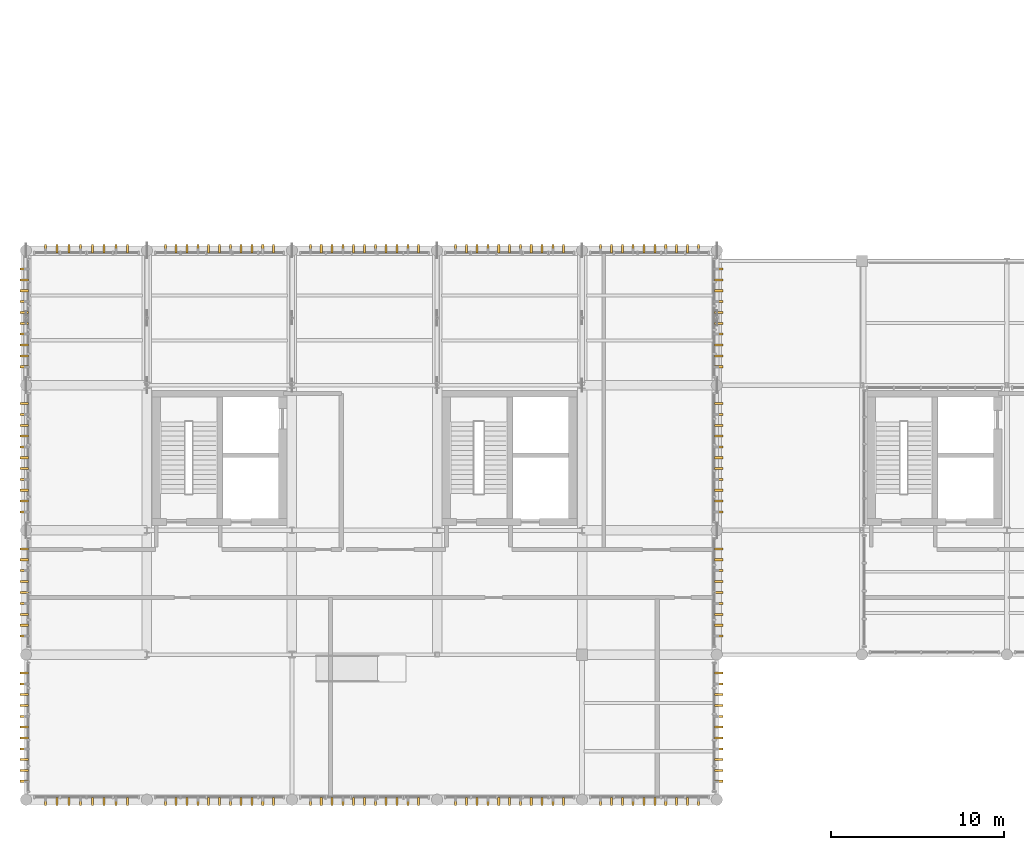
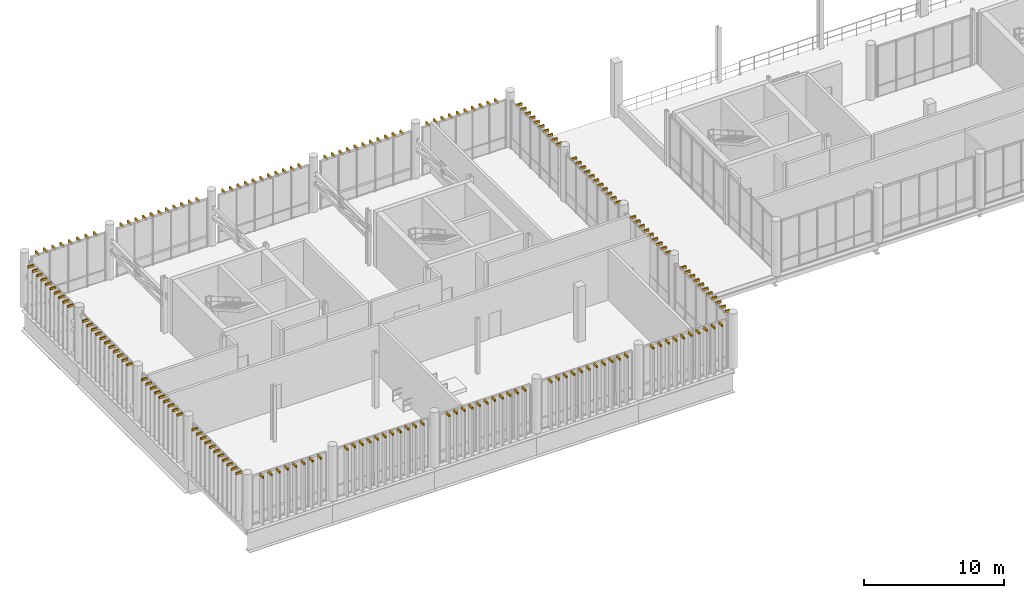
# One storey, part 80 of 81: 184 shading devices.
"""IFC4 building model written with IfcOpenShell, lengths in metres."""

from ifc_helpers import new_model, si_unit, direction, frame, origin_with_axes, origin_2d_with_axis, place, context, subcontext, project, spatial, rectangle, extrude, material, type_object, element, save


model = new_model("IFC4")

# Units and contexts
model_context = context("Model", 3, precision=1e-05, world=origin_with_axes(), true_north=direction((0.0, 1.0)))
body_context = subcontext(model_context, "Body", "Model", "MODEL_VIEW")
ifc_project = project(units=[si_unit("LENGTHUNIT", "METRE"), si_unit("AREAUNIT", "SQUARE_METRE"), si_unit("VOLUMEUNIT", "CUBIC_METRE"), si_unit("PLANEANGLEUNIT", "RADIAN"), si_unit("MASSUNIT", "GRAM", prefix="KILO"), si_unit("THERMODYNAMICTEMPERATUREUNIT", "KELVIN")], contexts=[model_context])

# Site, building, storey
site_placement = place(None, origin_with_axes())
site = spatial("IfcSite", under=ifc_project, at=site_placement, CompositionType="ELEMENT")
building_placement = place(site_placement, origin_with_axes())
building = spatial("IfcBuilding", under=site, at=building_placement, Name="Montbau Bow Law Courts", CompositionType="ELEMENT")
storey_placement = place(building_placement, frame((0.0, 0.0, 24.9), z_axis=(0.0, 0.0, 1.0), x_axis=(1.0, 0.0, 0.0)))
storey = spatial("IfcBuildingStorey", under=building, at=storey_placement, Name="L05", CompositionType="ELEMENT", Elevation=24.9)

# Shading devices
ifc_material = material(Name="Freeze-Thaw Glazed Terracotta-Red Ceramic Vertical Louvre", Category="masonry")
shading_device_type = type_object("IfcShadingDeviceType", Name="SH-LVR-RED", PredefinedType="USERDEFINED", material=ifc_material)
for number, where, z_axis, x_axis, name in (
    (1, (7.92, 30.49, 28.94), (0.0, 0.0, 1.0), (0.0, -1.0, 0.0), "LVR-L05-0608:shd_0608"),
    (2, (8.6, 30.49, 28.94), (0.0, 0.0, 1.0), (0.0, -1.0, 0.0), "LVR-L05-0609:shd_0609"),
    (3, (9.28, 30.49, 28.94), (0.0, 0.0, 1.0), (0.0, -1.0, 0.0), "LVR-L05-0610:shd_0610"),
    (4, (9.96, 30.49, 28.94), (0.0, 0.0, 1.0), (0.0, -1.0, 0.0), "LVR-L05-0611:shd_0611"),
    (5, (10.64, 30.49, 28.94), (0.0, 0.0, 1.0), (0.0, -1.0, 0.0), "LVR-L05-0612:shd_0612"),
    (6, (11.32, 30.49, 28.94), (0.0, 0.0, 1.0), (0.0, -1.0, 0.0), "LVR-L05-0613:shd_0613"),
    (7, (12.0, 30.49, 28.94), (0.0, 0.0, 1.0), (0.0, -1.0, 0.0), "LVR-L05-0614:shd_0614"),
    (8, (12.68, 30.49, 28.94), (0.0, 0.0, 1.0), (0.0, -1.0, 0.0), "LVR-L05-0615:shd_0615"),
    (9, (14.867, 30.49, 28.94), (0.0, 0.0, 1.0), (0.0, -1.0, 0.0), "LVR-L05-0616:shd_0616"),
    (10, (15.493, 30.49, 28.94), (0.0, 0.0, 1.0), (0.0, -1.0, 0.0), "LVR-L05-0617:shd_0617"),
    (11, (16.12, 30.49, 28.94), (0.0, 0.0, 1.0), (0.0, -1.0, 0.0), "LVR-L05-0618:shd_0618"),
    (12, (16.747, 30.49, 28.94), (0.0, 0.0, 1.0), (0.0, -1.0, 0.0), "LVR-L05-0619:shd_0619"),
    (13, (17.373, 30.49, 28.94), (0.0, 0.0, 1.0), (0.0, -1.0, 0.0), "LVR-L05-0620:shd_0620"),
    (14, (18.0, 30.49, 28.94), (0.0, 0.0, 1.0), (0.0, -1.0, 0.0), "LVR-L05-0621:shd_0621"),
    (15, (18.627, 30.49, 28.94), (0.0, 0.0, 1.0), (0.0, -1.0, 0.0), "LVR-L05-0622:shd_0622"),
    (16, (19.253, 30.49, 28.94), (0.0, 0.0, 1.0), (0.0, -1.0, 0.0), "LVR-L05-0623:shd_0623"),
    (17, (19.88, 30.49, 28.94), (0.0, 0.0, 1.0), (0.0, -1.0, 0.0), "LVR-L05-0624:shd_0624"),
    (18, (20.507, 30.49, 28.94), (0.0, 0.0, 1.0), (0.0, -1.0, 0.0), "LVR-L05-0625:shd_0625"),
    (19, (21.133, 30.49, 28.94), (0.0, 0.0, 1.0), (0.0, -1.0, 0.0), "LVR-L05-0626:shd_0626"),
    (20, (23.267, 30.49, 28.94), (0.0, 0.0, 1.0), (0.0, -1.0, 0.0), "LVR-L05-0627:shd_0627"),
    (21, (23.893, 30.49, 28.94), (0.0, 0.0, 1.0), (0.0, -1.0, 0.0), "LVR-L05-0628:shd_0628"),
    (22, (24.52, 30.49, 28.94), (0.0, 0.0, 1.0), (0.0, -1.0, 0.0), "LVR-L05-0629:shd_0629"),
    (23, (25.147, 30.49, 28.94), (0.0, 0.0, 1.0), (0.0, -1.0, 0.0), "LVR-L05-0630:shd_0630"),
    (24, (25.773, 30.49, 28.94), (0.0, 0.0, 1.0), (0.0, -1.0, 0.0), "LVR-L05-0631:shd_0631"),
    (25, (26.4, 30.49, 28.94), (0.0, 0.0, 1.0), (0.0, -1.0, 0.0), "LVR-L05-0632:shd_0632"),
    (26, (27.027, 30.49, 28.94), (0.0, 0.0, 1.0), (0.0, -1.0, 0.0), "LVR-L05-0633:shd_0633"),
    (27, (27.653, 30.49, 28.94), (0.0, 0.0, 1.0), (0.0, -1.0, 0.0), "LVR-L05-0634:shd_0634"),
    (28, (28.28, 30.49, 28.94), (0.0, 0.0, 1.0), (0.0, -1.0, 0.0), "LVR-L05-0635:shd_0635"),
    (29, (28.907, 30.49, 28.94), (0.0, 0.0, 1.0), (0.0, -1.0, 0.0), "LVR-L05-0636:shd_0636"),
    (30, (29.533, 30.49, 28.94), (0.0, 0.0, 1.0), (0.0, -1.0, 0.0), "LVR-L05-0637:shd_0637"),
    (31, (31.667, 30.49, 28.94), (0.0, 0.0, 1.0), (0.0, -1.0, 0.0), "LVR-L05-0638:shd_0638"),
    (32, (32.293, 30.49, 28.94), (0.0, 0.0, 1.0), (0.0, -1.0, 0.0), "LVR-L05-0639:shd_0639"),
    (33, (32.92, 30.49, 28.94), (0.0, 0.0, 1.0), (0.0, -1.0, 0.0), "LVR-L05-0640:shd_0640"),
    (34, (33.547, 30.49, 28.94), (0.0, 0.0, 1.0), (0.0, -1.0, 0.0), "LVR-L05-0641:shd_0641"),
    (35, (34.173, 30.49, 28.94), (0.0, 0.0, 1.0), (0.0, -1.0, 0.0), "LVR-L05-0642:shd_0642"),
    (36, (34.8, 30.49, 28.94), (0.0, 0.0, 1.0), (0.0, -1.0, 0.0), "LVR-L05-0643:shd_0643"),
    (37, (35.427, 30.49, 28.94), (0.0, 0.0, 1.0), (0.0, -1.0, 0.0), "LVR-L05-0644:shd_0644"),
    (38, (36.053, 30.49, 28.94), (0.0, 0.0, 1.0), (0.0, -1.0, 0.0), "LVR-L05-0645:shd_0645"),
    (39, (36.68, 30.49, 28.94), (0.0, 0.0, 1.0), (0.0, -1.0, 0.0), "LVR-L05-0646:shd_0646"),
    (40, (37.307, 30.49, 28.94), (0.0, 0.0, 1.0), (0.0, -1.0, 0.0), "LVR-L05-0647:shd_0647"),
    (41, (37.933, 30.49, 28.94), (0.0, 0.0, 1.0), (0.0, -1.0, 0.0), "LVR-L05-0648:shd_0648"),
    (42, (40.069, 30.49, 28.94), (0.0, 0.0, 1.0), (0.0, -1.0, 0.0), "LVR-L05-0649:shd_0649"),
    (43, (40.698, 30.49, 28.94), (0.0, 0.0, 1.0), (0.0, -1.0, 0.0), "LVR-L05-0650:shd_0650"),
    (44, (41.327, 30.49, 28.94), (0.0, 0.0, 1.0), (0.0, -1.0, 0.0), "LVR-L05-0651:shd_0651"),
    (45, (41.956, 30.49, 28.94), (0.0, 0.0, 1.0), (0.0, -1.0, 0.0), "LVR-L05-0652:shd_0652"),
    (46, (42.585, 30.49, 28.94), (0.0, 0.0, 1.0), (0.0, -1.0, 0.0), "LVR-L05-0653:shd_0653"),
    (47, (43.215, 30.49, 28.94), (0.0, 0.0, 1.0), (0.0, -1.0, 0.0), "LVR-L05-0654:shd_0654"),
    (48, (43.844, 30.49, 28.94), (0.0, 0.0, 1.0), (0.0, -1.0, 0.0), "LVR-L05-0655:shd_0655"),
    (49, (44.473, 30.49, 28.94), (0.0, 0.0, 1.0), (0.0, -1.0, 0.0), "LVR-L05-0656:shd_0656"),
    (50, (45.102, 30.49, 28.94), (0.0, 0.0, 1.0), (0.0, -1.0, 0.0), "LVR-L05-0657:shd_0657"),
    (51, (45.731, 30.49, 28.94), (0.0, 0.0, 1.0), (0.0, -1.0, 0.0), "LVR-L05-0658:shd_0658"),
    (52, (7.92, 62.51, 28.94), (0.0, 0.0, 1.0), (0.0, 1.0, 0.0), "LVR-L05-0659:shd_0659"),
    (53, (8.6, 62.51, 28.94), (0.0, 0.0, 1.0), (0.0, 1.0, 0.0), "LVR-L05-0660:shd_0660"),
    (54, (9.28, 62.51, 28.94), (0.0, 0.0, 1.0), (0.0, 1.0, 0.0), "LVR-L05-0661:shd_0661"),
    (55, (9.96, 62.51, 28.94), (0.0, 0.0, 1.0), (0.0, 1.0, 0.0), "LVR-L05-0662:shd_0662"),
    (56, (10.64, 62.51, 28.94), (0.0, 0.0, 1.0), (0.0, 1.0, 0.0), "LVR-L05-0663:shd_0663"),
    (57, (11.32, 62.51, 28.94), (0.0, 0.0, 1.0), (0.0, 1.0, 0.0), "LVR-L05-0664:shd_0664"),
    (58, (12.0, 62.51, 28.94), (0.0, 0.0, 1.0), (0.0, 1.0, 0.0), "LVR-L05-0665:shd_0665"),
    (59, (12.68, 62.51, 28.94), (0.0, 0.0, 1.0), (0.0, 1.0, 0.0), "LVR-L05-0666:shd_0666"),
    (60, (14.867, 62.51, 28.94), (0.0, 0.0, 1.0), (0.0, 1.0, 0.0), "LVR-L05-0667:shd_0667"),
    (61, (15.493, 62.51, 28.94), (0.0, 0.0, 1.0), (0.0, 1.0, 0.0), "LVR-L05-0668:shd_0668"),
    (62, (16.12, 62.51, 28.94), (0.0, 0.0, 1.0), (0.0, 1.0, 0.0), "LVR-L05-0669:shd_0669"),
    (63, (16.747, 62.51, 28.94), (0.0, 0.0, 1.0), (0.0, 1.0, 0.0), "LVR-L05-0670:shd_0670"),
    (64, (17.373, 62.51, 28.94), (0.0, 0.0, 1.0), (0.0, 1.0, 0.0), "LVR-L05-0671:shd_0671"),
    (65, (18.0, 62.51, 28.94), (0.0, 0.0, 1.0), (0.0, 1.0, 0.0), "LVR-L05-0672:shd_0672"),
    (66, (18.627, 62.51, 28.94), (0.0, 0.0, 1.0), (0.0, 1.0, 0.0), "LVR-L05-0673:shd_0673"),
    (67, (19.253, 62.51, 28.94), (0.0, 0.0, 1.0), (0.0, 1.0, 0.0), "LVR-L05-0674:shd_0674"),
    (68, (19.88, 62.51, 28.94), (0.0, 0.0, 1.0), (0.0, 1.0, 0.0), "LVR-L05-0675:shd_0675"),
    (69, (20.507, 62.51, 28.94), (0.0, 0.0, 1.0), (0.0, 1.0, 0.0), "LVR-L05-0676:shd_0676"),
    (70, (21.133, 62.51, 28.94), (0.0, 0.0, 1.0), (0.0, 1.0, 0.0), "LVR-L05-0677:shd_0677"),
    (71, (23.267, 62.51, 28.94), (0.0, 0.0, 1.0), (0.0, 1.0, 0.0), "LVR-L05-0678:shd_0678"),
    (72, (23.893, 62.51, 28.94), (0.0, 0.0, 1.0), (0.0, 1.0, 0.0), "LVR-L05-0679:shd_0679"),
    (73, (24.52, 62.51, 28.94), (0.0, 0.0, 1.0), (0.0, 1.0, 0.0), "LVR-L05-0680:shd_0680"),
    (74, (25.147, 62.51, 28.94), (0.0, 0.0, 1.0), (0.0, 1.0, 0.0), "LVR-L05-0681:shd_0681"),
    (75, (25.773, 62.51, 28.94), (0.0, 0.0, 1.0), (0.0, 1.0, 0.0), "LVR-L05-0682:shd_0682"),
    (76, (26.4, 62.51, 28.94), (0.0, 0.0, 1.0), (0.0, 1.0, 0.0), "LVR-L05-0683:shd_0683"),
    (77, (27.027, 62.51, 28.94), (0.0, 0.0, 1.0), (0.0, 1.0, 0.0), "LVR-L05-0684:shd_0684"),
    (78, (27.653, 62.51, 28.94), (0.0, 0.0, 1.0), (0.0, 1.0, 0.0), "LVR-L05-0685:shd_0685"),
    (79, (28.28, 62.51, 28.94), (0.0, 0.0, 1.0), (0.0, 1.0, 0.0), "LVR-L05-0686:shd_0686"),
    (80, (28.907, 62.51, 28.94), (0.0, 0.0, 1.0), (0.0, 1.0, 0.0), "LVR-L05-0687:shd_0687"),
    (81, (29.533, 62.51, 28.94), (0.0, 0.0, 1.0), (0.0, 1.0, 0.0), "LVR-L05-0688:shd_0688"),
    (82, (31.667, 62.51, 28.94), (0.0, 0.0, 1.0), (0.0, 1.0, 0.0), "LVR-L05-0689:shd_0689"),
    (83, (32.293, 62.51, 28.94), (0.0, 0.0, 1.0), (0.0, 1.0, 0.0), "LVR-L05-0690:shd_0690"),
    (84, (32.92, 62.51, 28.94), (0.0, 0.0, 1.0), (0.0, 1.0, 0.0), "LVR-L05-0691:shd_0691"),
    (85, (33.547, 62.51, 28.94), (0.0, 0.0, 1.0), (0.0, 1.0, 0.0), "LVR-L05-0692:shd_0692"),
    (86, (34.173, 62.51, 28.94), (0.0, 0.0, 1.0), (0.0, 1.0, 0.0), "LVR-L05-0693:shd_0693"),
    (87, (34.8, 62.51, 28.94), (0.0, 0.0, 1.0), (0.0, 1.0, 0.0), "LVR-L05-0694:shd_0694"),
    (88, (35.427, 62.51, 28.94), (0.0, 0.0, 1.0), (0.0, 1.0, 0.0), "LVR-L05-0695:shd_0695"),
    (89, (36.053, 62.51, 28.94), (0.0, 0.0, 1.0), (0.0, 1.0, 0.0), "LVR-L05-0696:shd_0696"),
    (90, (36.68, 62.51, 28.94), (0.0, 0.0, 1.0), (0.0, 1.0, 0.0), "LVR-L05-0697:shd_0697"),
    (91, (37.307, 62.51, 28.94), (0.0, 0.0, 1.0), (0.0, 1.0, 0.0), "LVR-L05-0698:shd_0698"),
    (92, (37.933, 62.51, 28.94), (0.0, 0.0, 1.0), (0.0, 1.0, 0.0), "LVR-L05-0699:shd_0699"),
    (93, (40.069, 62.51, 28.94), (0.0, 0.0, 1.0), (0.0, 1.0, 0.0), "LVR-L05-0700:shd_0700"),
    (94, (40.698, 62.51, 28.94), (0.0, 0.0, 1.0), (0.0, 1.0, 0.0), "LVR-L05-0701:shd_0701"),
    (95, (41.327, 62.51, 28.94), (0.0, 0.0, 1.0), (0.0, 1.0, 0.0), "LVR-L05-0702:shd_0702"),
    (96, (41.956, 62.51, 28.94), (0.0, 0.0, 1.0), (0.0, 1.0, 0.0), "LVR-L05-0703:shd_0703"),
    (97, (42.585, 62.51, 28.94), (0.0, 0.0, 1.0), (0.0, 1.0, 0.0), "LVR-L05-0704:shd_0704"),
    (98, (43.215, 62.51, 28.94), (0.0, 0.0, 1.0), (0.0, 1.0, 0.0), "LVR-L05-0705:shd_0705"),
    (99, (43.844, 62.51, 28.94), (0.0, 0.0, 1.0), (0.0, 1.0, 0.0), "LVR-L05-0706:shd_0706"),
    (100, (44.473, 62.51, 28.94), (0.0, 0.0, 1.0), (0.0, 1.0, 0.0), "LVR-L05-0707:shd_0707"),
    (101, (45.102, 62.51, 28.94), (0.0, 0.0, 1.0), (0.0, 1.0, 0.0), "LVR-L05-0708:shd_0708"),
    (102, (45.731, 62.51, 28.94), (0.0, 0.0, 1.0), (0.0, 1.0, 0.0), "LVR-L05-0709:shd_0709"),
    (103, (6.69, 31.667, 28.94), (0.0, 0.0, 1.0), (-1.0, 0.0, 0.0), "LVR-L05-0710:shd_0710"),
    (104, (6.69, 32.293, 28.94), (0.0, 0.0, 1.0), (-1.0, 0.0, 0.0), "LVR-L05-0711:shd_0711"),
    (105, (6.69, 32.92, 28.94), (0.0, 0.0, 1.0), (-1.0, 0.0, 0.0), "LVR-L05-0712:shd_0712"),
    (106, (6.69, 33.547, 28.94), (0.0, 0.0, 1.0), (-1.0, 0.0, 0.0), "LVR-L05-0713:shd_0713"),
    (107, (6.69, 34.173, 28.94), (0.0, 0.0, 1.0), (-1.0, 0.0, 0.0), "LVR-L05-0714:shd_0714"),
    (108, (6.69, 34.8, 28.94), (0.0, 0.0, 1.0), (-1.0, 0.0, 0.0), "LVR-L05-0715:shd_0715"),
    (109, (6.69, 35.427, 28.94), (0.0, 0.0, 1.0), (-1.0, 0.0, 0.0), "LVR-L05-0716:shd_0716"),
    (110, (6.69, 36.053, 28.94), (0.0, 0.0, 1.0), (-1.0, 0.0, 0.0), "LVR-L05-0717:shd_0717"),
    (111, (6.69, 36.68, 28.94), (0.0, 0.0, 1.0), (-1.0, 0.0, 0.0), "LVR-L05-0718:shd_0718"),
    (112, (6.69, 37.307, 28.94), (0.0, 0.0, 1.0), (-1.0, 0.0, 0.0), "LVR-L05-0719:shd_0719"),
    (113, (6.69, 37.933, 28.94), (0.0, 0.0, 1.0), (-1.0, 0.0, 0.0), "LVR-L05-0720:shd_0720"),
    (114, (6.69, 40.072, 28.94), (0.0, 0.0, 1.0), (-1.0, 0.0, 0.0), "LVR-L05-0721:shd_0721"),
    (115, (6.69, 40.704, 28.94), (0.0, 0.0, 1.0), (-1.0, 0.0, 0.0), "LVR-L05-0722:shd_0722"),
    (116, (6.69, 41.336, 28.94), (0.0, 0.0, 1.0), (-1.0, 0.0, 0.0), "LVR-L05-0723:shd_0723"),
    (117, (6.69, 41.968, 28.94), (0.0, 0.0, 1.0), (-1.0, 0.0, 0.0), "LVR-L05-0724:shd_0724"),
    (118, (6.69, 42.6, 28.94), (0.0, 0.0, 1.0), (-1.0, 0.0, 0.0), "LVR-L05-0725:shd_0725"),
    (119, (6.69, 43.232, 28.94), (0.0, 0.0, 1.0), (-1.0, 0.0, 0.0), "LVR-L05-0726:shd_0726"),
    (120, (6.69, 43.864, 28.94), (0.0, 0.0, 1.0), (-1.0, 0.0, 0.0), "LVR-L05-0727:shd_0727"),
    (121, (6.69, 44.496, 28.94), (0.0, 0.0, 1.0), (-1.0, 0.0, 0.0), "LVR-L05-0728:shd_0728"),
    (122, (6.69, 45.128, 28.94), (0.0, 0.0, 1.0), (-1.0, 0.0, 0.0), "LVR-L05-0729:shd_0729"),
    (123, (6.69, 47.267, 28.94), (0.0, 0.0, 1.0), (-1.0, 0.0, 0.0), "LVR-L05-0730:shd_0730"),
    (124, (6.69, 47.893, 28.94), (0.0, 0.0, 1.0), (-1.0, 0.0, 0.0), "LVR-L05-0731:shd_0731"),
    (125, (6.69, 48.52, 28.94), (0.0, 0.0, 1.0), (-1.0, 0.0, 0.0), "LVR-L05-0732:shd_0732"),
    (126, (6.69, 49.147, 28.94), (0.0, 0.0, 1.0), (-1.0, 0.0, 0.0), "LVR-L05-0733:shd_0733"),
    (127, (6.69, 49.773, 28.94), (0.0, 0.0, 1.0), (-1.0, 0.0, 0.0), "LVR-L05-0734:shd_0734"),
    (128, (6.69, 50.4, 28.94), (0.0, 0.0, 1.0), (-1.0, 0.0, 0.0), "LVR-L05-0735:shd_0735"),
    (129, (6.69, 51.027, 28.94), (0.0, 0.0, 1.0), (-1.0, 0.0, 0.0), "LVR-L05-0736:shd_0736"),
    (130, (6.69, 51.653, 28.94), (0.0, 0.0, 1.0), (-1.0, 0.0, 0.0), "LVR-L05-0737:shd_0737"),
    (131, (6.69, 52.28, 28.94), (0.0, 0.0, 1.0), (-1.0, 0.0, 0.0), "LVR-L05-0738:shd_0738"),
    (132, (6.69, 52.907, 28.94), (0.0, 0.0, 1.0), (-1.0, 0.0, 0.0), "LVR-L05-0739:shd_0739"),
    (133, (6.69, 53.533, 28.94), (0.0, 0.0, 1.0), (-1.0, 0.0, 0.0), "LVR-L05-0740:shd_0740"),
    (134, (6.69, 55.669, 28.94), (0.0, 0.0, 1.0), (-1.0, 0.0, 0.0), "LVR-L05-0741:shd_0741"),
    (135, (6.69, 56.298, 28.94), (0.0, 0.0, 1.0), (-1.0, 0.0, 0.0), "LVR-L05-0742:shd_0742"),
    (136, (6.69, 56.927, 28.94), (0.0, 0.0, 1.0), (-1.0, 0.0, 0.0), "LVR-L05-0743:shd_0743"),
    (137, (6.69, 57.556, 28.94), (0.0, 0.0, 1.0), (-1.0, 0.0, 0.0), "LVR-L05-0744:shd_0744"),
    (138, (6.69, 58.185, 28.94), (0.0, 0.0, 1.0), (-1.0, 0.0, 0.0), "LVR-L05-0745:shd_0745"),
    (139, (6.69, 58.815, 28.94), (0.0, 0.0, 1.0), (-1.0, 0.0, 0.0), "LVR-L05-0746:shd_0746"),
    (140, (6.69, 59.444, 28.94), (0.0, 0.0, 1.0), (-1.0, 0.0, 0.0), "LVR-L05-0747:shd_0747"),
    (141, (6.69, 60.073, 28.94), (0.0, 0.0, 1.0), (-1.0, 0.0, 0.0), "LVR-L05-0748:shd_0748"),
    (142, (6.69, 60.702, 28.94), (0.0, 0.0, 1.0), (-1.0, 0.0, 0.0), "LVR-L05-0749:shd_0749"),
    (143, (6.69, 61.331, 28.94), (0.0, 0.0, 1.0), (-1.0, 0.0, 0.0), "LVR-L05-0750:shd_0750"),
    (144, (46.91, 31.667, 28.94), (0.0, 0.0, 1.0), (1.0, 0.0, 0.0), "LVR-L05-0751:shd_0751"),
    (145, (46.91, 32.293, 28.94), (0.0, 0.0, 1.0), (1.0, 0.0, 0.0), "LVR-L05-0752:shd_0752"),
    (146, (46.91, 32.92, 28.94), (0.0, 0.0, 1.0), (1.0, 0.0, 0.0), "LVR-L05-0753:shd_0753"),
    (147, (46.91, 33.547, 28.94), (0.0, 0.0, 1.0), (1.0, 0.0, 0.0), "LVR-L05-0754:shd_0754"),
    (148, (46.91, 34.173, 28.94), (0.0, 0.0, 1.0), (1.0, 0.0, 0.0), "LVR-L05-0755:shd_0755"),
    (149, (46.91, 34.8, 28.94), (0.0, 0.0, 1.0), (1.0, 0.0, 0.0), "LVR-L05-0756:shd_0756"),
    (150, (46.91, 35.427, 28.94), (0.0, 0.0, 1.0), (1.0, 0.0, 0.0), "LVR-L05-0757:shd_0757"),
    (151, (46.91, 36.053, 28.94), (0.0, 0.0, 1.0), (1.0, 0.0, 0.0), "LVR-L05-0758:shd_0758"),
    (152, (46.91, 36.68, 28.94), (0.0, 0.0, 1.0), (1.0, 0.0, 0.0), "LVR-L05-0759:shd_0759"),
    (153, (46.91, 37.307, 28.94), (0.0, 0.0, 1.0), (1.0, 0.0, 0.0), "LVR-L05-0760:shd_0760"),
    (154, (46.91, 37.933, 28.94), (0.0, 0.0, 1.0), (1.0, 0.0, 0.0), "LVR-L05-0761:shd_0761"),
    (155, (46.91, 40.072, 28.94), (0.0, 0.0, 1.0), (1.0, 0.0, 0.0), "LVR-L05-0762:shd_0762"),
    (156, (46.91, 40.704, 28.94), (0.0, 0.0, 1.0), (1.0, 0.0, 0.0), "LVR-L05-0763:shd_0763"),
    (157, (46.91, 41.336, 28.94), (0.0, 0.0, 1.0), (1.0, 0.0, 0.0), "LVR-L05-0764:shd_0764"),
    (158, (46.91, 41.968, 28.94), (0.0, 0.0, 1.0), (1.0, 0.0, 0.0), "LVR-L05-0765:shd_0765"),
    (159, (46.91, 42.6, 28.94), (0.0, 0.0, 1.0), (1.0, 0.0, 0.0), "LVR-L05-0766:shd_0766"),
    (160, (46.91, 43.232, 28.94), (0.0, 0.0, 1.0), (1.0, 0.0, 0.0), "LVR-L05-0767:shd_0767"),
    (161, (46.91, 43.864, 28.94), (0.0, 0.0, 1.0), (1.0, 0.0, 0.0), "LVR-L05-0768:shd_0768"),
    (162, (46.91, 44.496, 28.94), (0.0, 0.0, 1.0), (1.0, 0.0, 0.0), "LVR-L05-0769:shd_0769"),
    (163, (46.91, 45.128, 28.94), (0.0, 0.0, 1.0), (1.0, 0.0, 0.0), "LVR-L05-0770:shd_0770"),
    (164, (46.91, 47.267, 28.94), (0.0, 0.0, 1.0), (1.0, 0.0, 0.0), "LVR-L05-0771:shd_0771"),
    (165, (46.91, 47.893, 28.94), (0.0, 0.0, 1.0), (1.0, 0.0, 0.0), "LVR-L05-0772:shd_0772"),
    (166, (46.91, 48.52, 28.94), (0.0, 0.0, 1.0), (1.0, 0.0, 0.0), "LVR-L05-0773:shd_0773"),
    (167, (46.91, 49.147, 28.94), (0.0, 0.0, 1.0), (1.0, 0.0, 0.0), "LVR-L05-0774:shd_0774"),
    (168, (46.91, 49.773, 28.94), (0.0, 0.0, 1.0), (1.0, 0.0, 0.0), "LVR-L05-0775:shd_0775"),
    (169, (46.91, 50.4, 28.94), (0.0, 0.0, 1.0), (1.0, 0.0, 0.0), "LVR-L05-0776:shd_0776"),
    (170, (46.91, 51.027, 28.94), (0.0, 0.0, 1.0), (1.0, 0.0, 0.0), "LVR-L05-0777:shd_0777"),
    (171, (46.91, 51.653, 28.94), (0.0, 0.0, 1.0), (1.0, 0.0, 0.0), "LVR-L05-0778:shd_0778"),
    (172, (46.91, 52.28, 28.94), (0.0, 0.0, 1.0), (1.0, 0.0, 0.0), "LVR-L05-0779:shd_0779"),
    (173, (46.91, 52.907, 28.94), (0.0, 0.0, 1.0), (1.0, 0.0, 0.0), "LVR-L05-0780:shd_0780"),
    (174, (46.91, 53.533, 28.94), (0.0, 0.0, 1.0), (1.0, 0.0, 0.0), "LVR-L05-0781:shd_0781"),
    (175, (46.91, 55.669, 28.94), (0.0, 0.0, 1.0), (1.0, 0.0, 0.0), "LVR-L05-0782:shd_0782"),
    (176, (46.91, 56.298, 28.94), (0.0, 0.0, 1.0), (1.0, 0.0, 0.0), "LVR-L05-0783:shd_0783"),
    (177, (46.91, 56.927, 28.94), (0.0, 0.0, 1.0), (1.0, 0.0, 0.0), "LVR-L05-0784:shd_0784"),
    (178, (46.91, 57.556, 28.94), (0.0, 0.0, 1.0), (1.0, 0.0, 0.0), "LVR-L05-0785:shd_0785"),
    (179, (46.91, 58.185, 28.94), (0.0, 0.0, 1.0), (1.0, 0.0, 0.0), "LVR-L05-0786:shd_0786"),
    (180, (46.91, 58.815, 28.94), (0.0, 0.0, 1.0), (1.0, 0.0, 0.0), "LVR-L05-0787:shd_0787"),
    (181, (46.91, 59.444, 28.94), (0.0, 0.0, 1.0), (1.0, 0.0, 0.0), "LVR-L05-0788:shd_0788"),
    (182, (46.91, 60.073, 28.94), (0.0, 0.0, 1.0), (1.0, 0.0, 0.0), "LVR-L05-0789:shd_0789"),
    (183, (46.91, 60.702, 28.94), (0.0, 0.0, 1.0), (1.0, 0.0, 0.0), "LVR-L05-0790:shd_0790"),
    (184, (46.91, 61.331, 28.94), (0.0, 0.0, 1.0), (1.0, 0.0, 0.0), "LVR-L05-0791:shd_0791"),
):
    element("IfcShadingDevice", number, at=place(None, frame(where, z_axis=z_axis, x_axis=x_axis)), inside=storey, type_object=shading_device_type, Name=name, ObjectType="LOUVRE", PredefinedType="USERDEFINED", context=body_context, shape_type="SweptSolid", body=[
        extrude(rectangle(XDim=0.48, YDim=0.12, at=origin_2d_with_axis()), origin_with_axes(), (0.0, 0.0, 1.0), 0.18),
    ])

save(model, "model.ifc")
